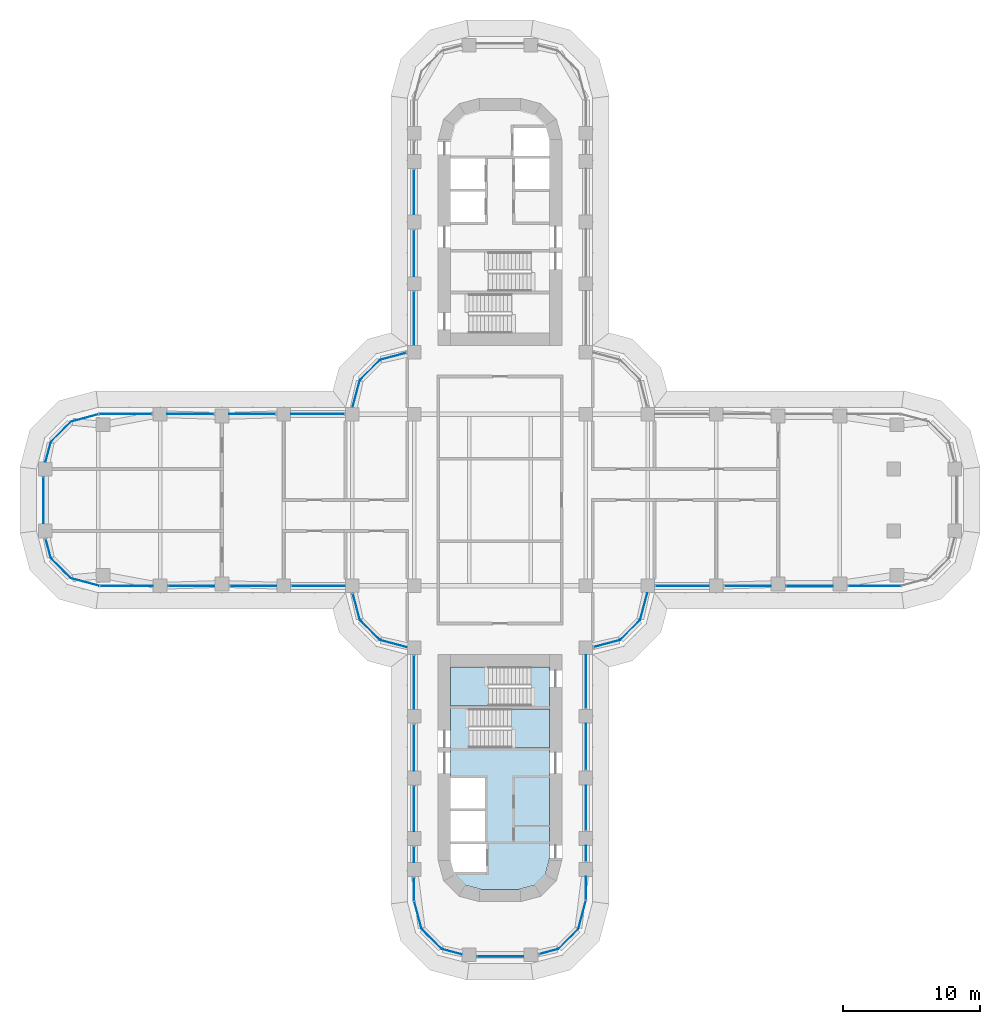
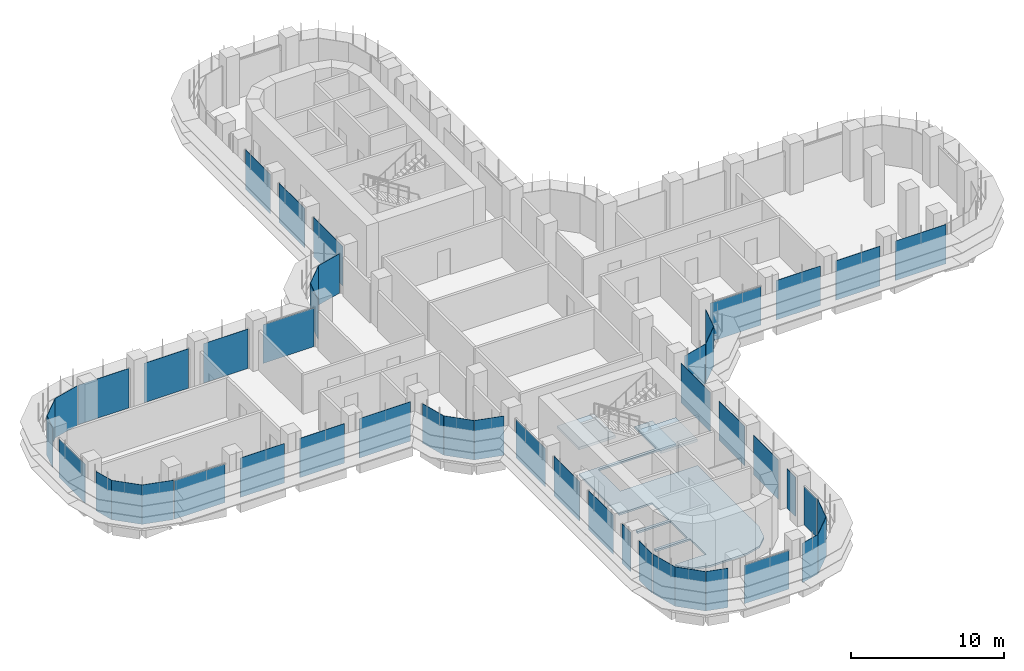
# One storey, part 13 of 23: 48 plates, 3 slabs, 31 elements without a shape of their own.
"""IFC4 building model written with IfcOpenShell, lengths in metres."""

from ifc_helpers import new_model, si_unit, direction, frame, origin, place, context, subcontext, project, spatial, polyline, outline, extrude, source, transform, mapped, material, layer, layer_set, type_object, element, aggregate, save


model = new_model("IFC4")

# Units and contexts
model_context = context("Model", 3, precision=1e-05, world=origin(), true_north=direction((0.0, 1.0)))
body_context = subcontext(model_context, "Body", "Model", "MODEL_VIEW")
ifc_project = project(units=[si_unit("LENGTHUNIT", "METRE"), si_unit("AREAUNIT", "SQUARE_METRE"), si_unit("VOLUMEUNIT", "CUBIC_METRE"), si_unit("PLANEANGLEUNIT", "RADIAN"), si_unit("MASSUNIT", "GRAM", prefix="KILO")], contexts=[model_context])

# Site, building, storey
site_placement = place(None, origin())
site = spatial("IfcSite", under=ifc_project, at=site_placement, CompositionType="ELEMENT")
building_placement = place(site_placement, origin())
building = spatial("IfcBuilding", under=site, at=building_placement, Name="Zarbagh Exchange Tower", CompositionType="ELEMENT")
storey_placement = place(building_placement, frame((0.0, 0.0, 31.199951171875)))
storey = spatial("IfcBuildingStorey", under=building, at=storey_placement, Name="L06", CompositionType="ELEMENT", Elevation=31.199951171875)

# Slab
ifc_material_1 = material(Name="Concrete C40/50", Category="concrete")
ifc_layer_1 = layer(ifc_material_1, 0.14990234375)
ifc_layer_set_1 = layer_set([ifc_layer_1], Name="Core floor slab 150 C40/50")
slab_type_1 = type_object("IfcSlabType", Name="Core floor slab 150 C40/50", PredefinedType="FLOOR", material=ifc_layer_set_1)
slab_1_placement = place(storey_placement, frame((0.0, 0.0, -0.14990234375)))
element("IfcSlab", 1, at=slab_1_placement, inside=storey, type_object=slab_type_1, Name="S17 core S", PredefinedType="FLOOR", context=body_context, shape_type="SweptSolid", body=[
    extrude(outline(polyline([(-2.5341796875, -28.041259765625), (-3.291259765625, -27.2841796875), (-3.340576171875, -27.10009765625), (-1.0, -27.10009765625), (-1.0, -25.050048828125), (-3.60009765625, -25.050048828125), (-3.60009765625, -24.85009765625), (-1.10009765625, -24.85009765625), (-1.10009765625, -22.64990234375), (-3.60009765625, -22.64990234375), (-3.60009765625, -22.449951171875), (-1.10009765625, -22.449951171875), (-1.10009765625, -20.25), (-3.60009765625, -20.25), (-3.60009765625, -15.0), (2.25, -15.0), (2.25, -12.14990234375), (3.60009765625, -12.14990234375), (3.60009765625, -15.199951171875), (-2.25, -15.199951171875), (-2.25, -18.050048828125), (3.60009765625, -18.050048828125), (3.60009765625, -26.131591796875), (3.291259765625, -27.2841796875), (2.5341796875, -28.041259765625), (1.381591796875, -28.35009765625), (-1.381591796875, -28.35009765625), (-2.5341796875, -28.041259765625)])), origin(), (0.0, 0.0, 1.0), 0.14990234375),
])

# Stair, slab
stair_type = type_object("IfcStairType", Name="Exit stair two-flight half-turn", PredefinedType="HALF_TURN_STAIR", material=ifc_material_1)
stair_1_placement = place(storey_placement, origin())
stair_1 = element("IfcStair", 2, at=stair_1_placement, inside=storey, type_object=stair_type, Name="exit stair ST3", PredefinedType="HALF_TURN_STAIR")
ifc_layer_2 = layer(ifc_material_1, 0.199951171875)
ifc_layer_set_2 = layer_set([ifc_layer_2], Name="Stair landing 200 mm")
slab_type_2 = type_object("IfcSlabType", Name="Stair landing 200 mm", PredefinedType="LANDING", material=ifc_layer_set_2)
slab_2_placement = place(storey_placement, frame((0.0, 0.0, 1.900146484375)))
slab_2 = element("IfcSlab", 3, at=slab_2_placement, type_object=slab_type_2, Name="ST3 landing 1", PredefinedType="LANDING", context=body_context, shape_type="SweptSolid", body=[
    extrude(outline(polyline([(0.830078125, -18.050048828125), (3.60009765625, -18.050048828125), (3.60009765625, -15.199951171875), (0.830078125, -15.199951171875), (0.830078125, -18.050048828125)])), origin(), (0.0, 0.0, 1.0), 0.199951171875),
])
aggregate(stair_1, [slab_2])

stair_2_placement = place(storey_placement, origin())
stair_2 = element("IfcStair", 4, at=stair_2_placement, inside=storey, type_object=stair_type, Name="exit stair ST4", PredefinedType="HALF_TURN_STAIR")
slab_3_placement = place(storey_placement, frame((0.0, 0.0, 1.900146484375)))
slab_3 = element("IfcSlab", 5, at=slab_3_placement, type_object=slab_type_2, Name="ST4 landing 1", PredefinedType="LANDING", context=body_context, shape_type="SweptSolid", body=[
    extrude(outline(polyline([(-0.830078125, -12.14990234375), (-3.60009765625, -12.14990234375), (-3.60009765625, -15.0), (-0.830078125, -15.0), (-0.830078125, -12.14990234375)])), origin(), (0.0, 0.0, 1.0), 0.199951171875),
])
aggregate(stair_2, [slab_3])

# Curtain wall, plate
ifc_material_2 = material(Name="Anodised aluminium frame and glazing", Category="aluminium")
curtain_wall_type = type_object("IfcCurtainWallType", Name="CWA Ribbon glazing, lower zones", PredefinedType="NOTDEFINED", material=ifc_material_2)
curtain_wall_1_placement = place(storey_placement, origin())
curtain_wall_1 = element("IfcCurtainWall", 6, at=curtain_wall_1_placement, inside=storey, type_object=curtain_wall_type, Name="CWA01 curtain wall", PredefinedType="NOTDEFINED")
ifc_material_3 = material(Name="Low-e double glazed unit, 6+12+6 mm")
ifc_layer_3 = layer(ifc_material_3, 0.028076171875)
ifc_layer_set_3 = layer_set([ifc_layer_3], Name="PAA Glazing panel, Low-e double glazed unit, 6+12+6 mm")
plate_type = type_object("IfcPlateType", Name="PAA Glazing panel, Low-e double glazed unit, 6+12+6 mm", PredefinedType="CURTAIN_PANEL", material=ifc_layer_set_3)
shared_shape_1 = source(origin(), body_context, "Body", "SweptSolid", [
    extrude(outline(polyline([(0.0, -0.013916015625), (1.4423828125, -0.013916015625), (1.4423828125, 0.013916015625), (0.0, 0.013916015625), (0.0, -0.013916015625)])), origin(), (0.0, 0.0, 1.0), 3.14990234375),
])
placement = place(storey_placement, origin())
plate_1 = element("IfcPlate", 7, at=placement, type_object=plate_type, Name="CWA01 glazing panel 1.1", PredefinedType="CURTAIN_PANEL", context=body_context, shape_type="MappedRepresentation", body=[
    mapped(shared_shape_1, transform((2.847900390625, -33.072021484375, 0.0), x_axis=(0.965924289636, 0.258824779902, 0.0), y_axis=(-0.258824779902, 0.965924289636, 0.0), z_axis=(0.0, 0.0, 1.0))),
])
aggregate(curtain_wall_1, [plate_1])

curtain_wall_2_placement = place(storey_placement, origin())
curtain_wall_2 = element("IfcCurtainWall", 8, at=curtain_wall_2_placement, inside=storey, type_object=curtain_wall_type, Name="CWA37 curtain wall", PredefinedType="NOTDEFINED")
plate_2 = element("IfcPlate", 9, at=placement, type_object=plate_type, Name="CWA37 glazing panel 1.1", PredefinedType="CURTAIN_PANEL", context=body_context, shape_type="MappedRepresentation", body=[
    mapped(shared_shape_1, transform((-33.072021484375, -2.847900390625, 0.0), x_axis=(0.258824779902, -0.965924289636, 0.0), y_axis=(0.965924289636, 0.258824779902, 0.0), z_axis=(0.0, 0.0, 1.0))),
])
aggregate(curtain_wall_2, [plate_2])

curtain_wall_3_placement = place(storey_placement, origin())
curtain_wall_3 = element("IfcCurtainWall", 10, at=curtain_wall_3_placement, inside=storey, type_object=curtain_wall_type, Name="CWA02 curtain wall", PredefinedType="NOTDEFINED")
shared_shape_2 = source(origin(), body_context, "Body", "SweptSolid", [
    extrude(outline(polyline([(0.0, -0.013916015625), (2.061279296875, -0.013916015625), (2.061279296875, 0.013916015625), (0.0, 0.013916015625), (0.0, -0.013916015625)])), origin(), (0.0, 0.0, 1.0), 3.14990234375),
])
plate_3 = element("IfcPlate", 11, at=placement, type_object=plate_type, Name="CWA02 glazing panel 1.1", PredefinedType="CURTAIN_PANEL", context=body_context, shape_type="MappedRepresentation", body=[
    mapped(shared_shape_2, transform((4.2412109375, -32.69873046875, 0.0), x_axis=(0.707106781187, 0.707106781187, 0.0), y_axis=(-0.707106781187, 0.707106781187, 0.0), z_axis=(0.0, 0.0, 1.0))),
])
aggregate(curtain_wall_3, [plate_3])

curtain_wall_4_placement = place(storey_placement, origin())
curtain_wall_4 = element("IfcCurtainWall", 12, at=curtain_wall_4_placement, inside=storey, type_object=curtain_wall_type, Name="CWA06 curtain wall", PredefinedType="NOTDEFINED")
plate_4 = element("IfcPlate", 13, at=placement, type_object=plate_type, Name="CWA06 glazing panel 1.1", PredefinedType="CURTAIN_PANEL", context=body_context, shape_type="MappedRepresentation", body=[
    mapped(shared_shape_2, transform((8.7412109375, -10.19873046875, 0.0), x_axis=(0.707106781187, 0.707106781187, 0.0), y_axis=(-0.707106781187, 0.707106781187, 0.0), z_axis=(0.0, 0.0, 1.0))),
])
aggregate(curtain_wall_4, [plate_4])

curtain_wall_5_placement = place(storey_placement, origin())
curtain_wall_5 = element("IfcCurtainWall", 14, at=curtain_wall_5_placement, inside=storey, type_object=curtain_wall_type, Name="CWA30 curtain wall", PredefinedType="NOTDEFINED")
plate_5 = element("IfcPlate", 15, at=placement, type_object=plate_type, Name="CWA30 glazing panel 1.1", PredefinedType="CURTAIN_PANEL", context=body_context, shape_type="MappedRepresentation", body=[
    mapped(shared_shape_2, transform((-8.7412109375, 10.19873046875, 0.0), x_axis=(-0.707106781187, -0.707106781187, 0.0), y_axis=(0.707106781187, -0.707106781187, 0.0), z_axis=(0.0, 0.0, 1.0))),
])
aggregate(curtain_wall_5, [plate_5])

curtain_wall_6_placement = place(storey_placement, origin())
curtain_wall_6 = element("IfcCurtainWall", 16, at=curtain_wall_6_placement, inside=storey, type_object=curtain_wall_type, Name="CWA34 curtain wall", PredefinedType="NOTDEFINED")
plate_6 = element("IfcPlate", 17, at=placement, type_object=plate_type, Name="CWA34 glazing panel 1.1", PredefinedType="CURTAIN_PANEL", context=body_context, shape_type="MappedRepresentation", body=[
    mapped(shared_shape_2, transform((-31.2412109375, 5.69873046875, 0.0), x_axis=(-0.707106781187, -0.707106781187, 0.0), y_axis=(0.707106781187, -0.707106781187, 0.0), z_axis=(0.0, 0.0, 1.0))),
])
aggregate(curtain_wall_6, [plate_6])

curtain_wall_7_placement = place(storey_placement, origin())
curtain_wall_7 = element("IfcCurtainWall", 18, at=curtain_wall_7_placement, inside=storey, type_object=curtain_wall_type, Name="CWA38 curtain wall", PredefinedType="NOTDEFINED")
plate_7 = element("IfcPlate", 19, at=placement, type_object=plate_type, Name="CWA38 glazing panel 1.1", PredefinedType="CURTAIN_PANEL", context=body_context, shape_type="MappedRepresentation", body=[
    mapped(shared_shape_2, transform((-32.69873046875, -4.2412109375, 0.0), x_axis=(0.707106781187, -0.707106781187, 0.0), y_axis=(0.707106781187, 0.707106781187, 0.0), z_axis=(0.0, 0.0, 1.0))),
])
aggregate(curtain_wall_7, [plate_7])

curtain_wall_8_placement = place(storey_placement, origin())
curtain_wall_8 = element("IfcCurtainWall", 20, at=curtain_wall_8_placement, inside=storey, type_object=curtain_wall_type, Name="CWA42 curtain wall", PredefinedType="NOTDEFINED")
plate_8 = element("IfcPlate", 21, at=placement, type_object=plate_type, Name="CWA42 glazing panel 1.1", PredefinedType="CURTAIN_PANEL", context=body_context, shape_type="MappedRepresentation", body=[
    mapped(shared_shape_2, transform((-10.19873046875, -8.7412109375, 0.0), x_axis=(0.707106781187, -0.707106781187, 0.0), y_axis=(0.707106781187, 0.707106781187, 0.0), z_axis=(0.0, 0.0, 1.0))),
])
aggregate(curtain_wall_8, [plate_8])

curtain_wall_9_placement = place(storey_placement, origin())
curtain_wall_9 = element("IfcCurtainWall", 22, at=curtain_wall_9_placement, inside=storey, type_object=curtain_wall_type, Name="CWA46 curtain wall", PredefinedType="NOTDEFINED")
plate_9 = element("IfcPlate", 23, at=placement, type_object=plate_type, Name="CWA46 glazing panel 1.1", PredefinedType="CURTAIN_PANEL", context=body_context, shape_type="MappedRepresentation", body=[
    mapped(shared_shape_2, transform((-5.69873046875, -31.2412109375, 0.0), x_axis=(0.707106781187, -0.707106781187, 0.0), y_axis=(0.707106781187, 0.707106781187, 0.0), z_axis=(0.0, 0.0, 1.0))),
])
aggregate(curtain_wall_9, [plate_9])

curtain_wall_10_placement = place(storey_placement, origin())
curtain_wall_10 = element("IfcCurtainWall", 24, at=curtain_wall_10_placement, inside=storey, type_object=curtain_wall_type, Name="CWA03 curtain wall", PredefinedType="NOTDEFINED")
shared_shape_3 = source(origin(), body_context, "Body", "SweptSolid", [
    extrude(outline(polyline([(0.0, -0.013916015625), (2.129638671875, -0.013916015625), (2.129638671875, 0.013916015625), (0.0, 0.013916015625), (0.0, -0.013916015625)])), origin(), (0.0, 0.0, 1.0), 3.14990234375),
])
plate_10 = element("IfcPlate", 25, at=placement, type_object=plate_type, Name="CWA03 glazing panel 1.1", PredefinedType="CURTAIN_PANEL", context=body_context, shape_type="MappedRepresentation", body=[
    mapped(shared_shape_3, transform((5.69873046875, -31.2412109375, 0.0), x_axis=(0.258824779902, 0.965924289636, 0.0), y_axis=(-0.965924289636, 0.258824779902, 0.0), z_axis=(0.0, 0.0, 1.0))),
])
aggregate(curtain_wall_10, [plate_10])

curtain_wall_11_placement = place(storey_placement, origin())
curtain_wall_11 = element("IfcCurtainWall", 26, at=curtain_wall_11_placement, inside=storey, type_object=curtain_wall_type, Name="CWA39 curtain wall", PredefinedType="NOTDEFINED")
plate_11 = element("IfcPlate", 27, at=placement, type_object=plate_type, Name="CWA39 glazing panel 1.1", PredefinedType="CURTAIN_PANEL", context=body_context, shape_type="MappedRepresentation", body=[
    mapped(shared_shape_3, transform((-31.2412109375, -5.69873046875, 0.0), x_axis=(0.965924289636, -0.258824779902, 0.0), y_axis=(0.258824779902, 0.965924289636, 0.0), z_axis=(0.0, 0.0, 1.0))),
])
aggregate(curtain_wall_11, [plate_11])

# Curtain wall, plates
curtain_wall_12_placement = place(storey_placement, origin())
curtain_wall_12 = element("IfcCurtainWall", 28, at=curtain_wall_12_placement, inside=storey, type_object=curtain_wall_type, Name="CWA04 curtain wall", PredefinedType="NOTDEFINED")
shared_shape_4 = source(origin(), body_context, "Body", "SweptSolid", [
    extrude(outline(polyline([(0.0, -0.013916015625), (1.68408203125, -0.013916015625), (1.68408203125, 0.013916015625), (0.0, 0.013916015625), (0.0, -0.013916015625)])), origin(), (0.0, 0.0, 1.0), 3.090087890625),
])
plate_12 = element("IfcPlate", 29, at=placement, type_object=plate_type, Name="CWA04 glazing panel 1.1", PredefinedType="CURTAIN_PANEL", context=body_context, shape_type="MappedRepresentation", body=[
    mapped(shared_shape_4, transform((6.25, -29.124267578125, 0.0), x_axis=(0.0, 1.0, 0.0), y_axis=(-1.0, 0.0, 0.0), z_axis=(0.0, 0.0, 1.0))),
])
shared_shape_5 = source(origin(), body_context, "Body", "SweptSolid", [
    extrude(outline(polyline([(0.0, -0.013916015625), (1.110107421875, -0.013916015625), (1.110107421875, 0.013916015625), (0.0, 0.013916015625), (0.0, -0.013916015625)])), origin(), (0.0, 0.0, 1.0), 3.14990234375),
])
plate_13 = element("IfcPlate", 30, at=placement, type_object=plate_type, Name="CWA04 glazing panel 2.1", PredefinedType="CURTAIN_PANEL", context=body_context, shape_type="MappedRepresentation", body=[
    mapped(shared_shape_5, transform((6.25, -26.300048828125, 0.0), x_axis=(0.0, 1.0, 0.0), y_axis=(-1.0, 0.0, 0.0), z_axis=(0.0, 0.0, 1.0))),
])

# Curtain wall, plate
curtain_wall_13_placement = place(storey_placement, origin())
curtain_wall_13 = element("IfcCurtainWall", 31, at=curtain_wall_13_placement, inside=storey, type_object=curtain_wall_type, Name="CWA44 curtain wall", PredefinedType="NOTDEFINED")
plate_14 = element("IfcPlate", 32, at=placement, type_object=plate_type, Name="CWA44 glazing panel 4.1", PredefinedType="CURTAIN_PANEL", context=body_context, shape_type="MappedRepresentation", body=[
    mapped(shared_shape_5, transform((-6.25, -25.25, 0.0), x_axis=(0.0, -1.0, 0.0), y_axis=(1.0, 0.0, 0.0), z_axis=(0.0, 0.0, 1.0))),
])

# Plate
shared_shape_6 = source(origin(), body_context, "Body", "SweptSolid", [
    extrude(outline(polyline([(0.0, -0.013916015625), (3.260009765625, -0.013916015625), (3.260009765625, 0.013916015625), (0.0, 0.013916015625), (0.0, -0.013916015625)])), origin(), (0.0, 0.0, 1.0), 3.14990234375),
])
plate_15 = element("IfcPlate", 33, at=placement, type_object=plate_type, Name="CWA04 glazing panel 3.1", PredefinedType="CURTAIN_PANEL", context=body_context, shape_type="MappedRepresentation", body=[
    mapped(shared_shape_6, transform((6.25, -24.050048828125, 0.0), x_axis=(0.0, 1.0, 0.0), y_axis=(-1.0, 0.0, 0.0), z_axis=(0.0, 0.0, 1.0))),
])

# Curtain wall, plate
curtain_wall_14_placement = place(storey_placement, origin())
curtain_wall_14 = element("IfcCurtainWall", 34, at=curtain_wall_14_placement, inside=storey, type_object=curtain_wall_type, Name="CWA28 curtain wall", PredefinedType="NOTDEFINED")
plate_16 = element("IfcPlate", 35, at=placement, type_object=plate_type, Name="CWA28 glazing panel 3.1", PredefinedType="CURTAIN_PANEL", context=body_context, shape_type="MappedRepresentation", body=[
    mapped(shared_shape_6, transform((-6.25, 24.050048828125, 0.0), x_axis=(0.0, -1.0, 0.0), y_axis=(1.0, 0.0, 0.0), z_axis=(0.0, 0.0, 1.0))),
])

# Plate
plate_17 = element("IfcPlate", 36, at=placement, type_object=plate_type, Name="CWA44 glazing panel 3.1", PredefinedType="CURTAIN_PANEL", context=body_context, shape_type="MappedRepresentation", body=[
    mapped(shared_shape_6, transform((-6.25, -20.85009765625, 0.0), x_axis=(0.0, -1.0, 0.0), y_axis=(1.0, 0.0, 0.0), z_axis=(0.0, 0.0, 1.0))),
])

shared_shape_7 = source(origin(), body_context, "Body", "SweptSolid", [
    extrude(outline(polyline([(0.0, -0.013916015625), (3.360107421875, -0.013916015625), (3.360107421875, 0.013916015625), (0.0, 0.013916015625), (0.0, -0.013916015625)])), origin(), (0.0, 0.0, 1.0), 3.14990234375),
])
plate_18 = element("IfcPlate", 37, at=placement, type_object=plate_type, Name="CWA04 glazing panel 4.1", PredefinedType="CURTAIN_PANEL", context=body_context, shape_type="MappedRepresentation", body=[
    mapped(shared_shape_7, transform((6.25, -19.64990234375, 0.0), x_axis=(0.0, 1.0, 0.0), y_axis=(-1.0, 0.0, 0.0), z_axis=(0.0, 0.0, 1.0))),
])

# Curtain wall, plates
curtain_wall_15_placement = place(storey_placement, origin())
curtain_wall_15 = element("IfcCurtainWall", 38, at=curtain_wall_15_placement, inside=storey, type_object=curtain_wall_type, Name="CWA08 curtain wall", PredefinedType="NOTDEFINED")
plate_19 = element("IfcPlate", 39, at=placement, type_object=plate_type, Name="CWA08 glazing panel 2.1", PredefinedType="CURTAIN_PANEL", context=body_context, shape_type="MappedRepresentation", body=[
    mapped(shared_shape_7, transform((16.35009765625, -6.25, 0.0), x_axis=(1.0, 0.0, 0.0), y_axis=(0.0, 1.0, 0.0), z_axis=(0.0, 0.0, 1.0))),
])
plate_20 = element("IfcPlate", 40, at=placement, type_object=plate_type, Name="CWA08 glazing panel 3.1", PredefinedType="CURTAIN_PANEL", context=body_context, shape_type="MappedRepresentation", body=[
    mapped(shared_shape_7, transform((20.85009765625, -6.25, 0.0), x_axis=(1.0, 0.0, 0.0), y_axis=(0.0, 1.0, 0.0), z_axis=(0.0, 0.0, 1.0))),
])

# Plate
plate_21 = element("IfcPlate", 41, at=placement, type_object=plate_type, Name="CWA28 glazing panel 4.1", PredefinedType="CURTAIN_PANEL", context=body_context, shape_type="MappedRepresentation", body=[
    mapped(shared_shape_7, transform((-6.25, 19.64990234375, 0.0), x_axis=(0.0, -1.0, 0.0), y_axis=(1.0, 0.0, 0.0), z_axis=(0.0, 0.0, 1.0))),
])

# Curtain wall, plates
curtain_wall_16_placement = place(storey_placement, origin())
curtain_wall_16 = element("IfcCurtainWall", 42, at=curtain_wall_16_placement, inside=storey, type_object=curtain_wall_type, Name="CWA32 curtain wall", PredefinedType="NOTDEFINED")
plate_22 = element("IfcPlate", 43, at=placement, type_object=plate_type, Name="CWA32 glazing panel 2.1", PredefinedType="CURTAIN_PANEL", context=body_context, shape_type="MappedRepresentation", body=[
    mapped(shared_shape_7, transform((-16.35009765625, 6.25, 0.0), x_axis=(-1.0, 0.0, 0.0), y_axis=(0.0, -1.0, 0.0), z_axis=(0.0, 0.0, 1.0))),
])
plate_23 = element("IfcPlate", 44, at=placement, type_object=plate_type, Name="CWA32 glazing panel 3.1", PredefinedType="CURTAIN_PANEL", context=body_context, shape_type="MappedRepresentation", body=[
    mapped(shared_shape_7, transform((-20.85009765625, 6.25, 0.0), x_axis=(-1.0, 0.0, 0.0), y_axis=(0.0, -1.0, 0.0), z_axis=(0.0, 0.0, 1.0))),
])

curtain_wall_17_placement = place(storey_placement, origin())
curtain_wall_17 = element("IfcCurtainWall", 45, at=curtain_wall_17_placement, inside=storey, type_object=curtain_wall_type, Name="CWA40 curtain wall", PredefinedType="NOTDEFINED")
plate_24 = element("IfcPlate", 46, at=placement, type_object=plate_type, Name="CWA40 glazing panel 2.1", PredefinedType="CURTAIN_PANEL", context=body_context, shape_type="MappedRepresentation", body=[
    mapped(shared_shape_7, transform((-24.14990234375, -6.25, 0.0), x_axis=(1.0, 0.0, 0.0), y_axis=(0.0, 1.0, 0.0), z_axis=(0.0, 0.0, 1.0))),
])
plate_25 = element("IfcPlate", 47, at=placement, type_object=plate_type, Name="CWA40 glazing panel 3.1", PredefinedType="CURTAIN_PANEL", context=body_context, shape_type="MappedRepresentation", body=[
    mapped(shared_shape_7, transform((-19.64990234375, -6.25, 0.0), x_axis=(1.0, 0.0, 0.0), y_axis=(0.0, 1.0, 0.0), z_axis=(0.0, 0.0, 1.0))),
])

# Plate
plate_26 = element("IfcPlate", 48, at=placement, type_object=plate_type, Name="CWA44 glazing panel 2.1", PredefinedType="CURTAIN_PANEL", context=body_context, shape_type="MappedRepresentation", body=[
    mapped(shared_shape_7, transform((-6.25, -16.35009765625, 0.0), x_axis=(0.0, -1.0, 0.0), y_axis=(1.0, 0.0, 0.0), z_axis=(0.0, 0.0, 1.0))),
])

# Curtain wall, plate
curtain_wall_18_placement = place(storey_placement, origin())
curtain_wall_18 = element("IfcCurtainWall", 49, at=curtain_wall_18_placement, inside=storey, type_object=curtain_wall_type, Name="CWA05 curtain wall", PredefinedType="NOTDEFINED")
shared_shape_8 = source(origin(), body_context, "Body", "SweptSolid", [
    extrude(outline(polyline([(0.0, -0.013916015625), (1.9599609375, -0.013916015625), (1.9599609375, 0.013916015625), (0.0, 0.013916015625), (0.0, -0.013916015625)])), origin(), (0.0, 0.0, 1.0), 3.14990234375),
])
plate_27 = element("IfcPlate", 50, at=placement, type_object=plate_type, Name="CWA05 glazing panel 1.1", PredefinedType="CURTAIN_PANEL", context=body_context, shape_type="MappedRepresentation", body=[
    mapped(shared_shape_8, transform((6.847900390625, -10.7060546875, 0.0), x_axis=(0.965924289636, 0.258824779902, 0.0), y_axis=(-0.258824779902, 0.965924289636, 0.0), z_axis=(0.0, 0.0, 1.0))),
])
aggregate(curtain_wall_18, [plate_27])

curtain_wall_19_placement = place(storey_placement, origin())
curtain_wall_19 = element("IfcCurtainWall", 51, at=curtain_wall_19_placement, inside=storey, type_object=curtain_wall_type, Name="CWA29 curtain wall", PredefinedType="NOTDEFINED")
plate_28 = element("IfcPlate", 52, at=placement, type_object=plate_type, Name="CWA29 glazing panel 1.1", PredefinedType="CURTAIN_PANEL", context=body_context, shape_type="MappedRepresentation", body=[
    mapped(shared_shape_8, transform((-6.847900390625, 10.7060546875, 0.0), x_axis=(-0.965924289636, -0.258824779902, 0.0), y_axis=(0.258824779902, -0.965924289636, 0.0), z_axis=(0.0, 0.0, 1.0))),
])
aggregate(curtain_wall_19, [plate_28])

curtain_wall_20_placement = place(storey_placement, origin())
curtain_wall_20 = element("IfcCurtainWall", 53, at=curtain_wall_20_placement, inside=storey, type_object=curtain_wall_type, Name="CWA41 curtain wall", PredefinedType="NOTDEFINED")
plate_29 = element("IfcPlate", 54, at=placement, type_object=plate_type, Name="CWA41 glazing panel 1.1", PredefinedType="CURTAIN_PANEL", context=body_context, shape_type="MappedRepresentation", body=[
    mapped(shared_shape_8, transform((-10.7060546875, -6.847900390625, 0.0), x_axis=(0.258824779902, -0.965924289636, 0.0), y_axis=(0.965924289636, 0.258824779902, 0.0), z_axis=(0.0, 0.0, 1.0))),
])
aggregate(curtain_wall_20, [plate_29])

curtain_wall_21_placement = place(storey_placement, origin())
curtain_wall_21 = element("IfcCurtainWall", 55, at=curtain_wall_21_placement, inside=storey, type_object=curtain_wall_type, Name="CWA07 curtain wall", PredefinedType="NOTDEFINED")
shared_shape_9 = source(origin(), body_context, "Body", "SweptSolid", [
    extrude(outline(polyline([(0.0, -0.013916015625), (2.02001953125, -0.013916015625), (2.02001953125, 0.013916015625), (0.0, 0.013916015625), (0.0, -0.013916015625)])), origin(), (0.0, 0.0, 1.0), 3.14990234375),
])
plate_30 = element("IfcPlate", 56, at=placement, type_object=plate_type, Name="CWA07 glazing panel 1.1", PredefinedType="CURTAIN_PANEL", context=body_context, shape_type="MappedRepresentation", body=[
    mapped(shared_shape_9, transform((10.19873046875, -8.7412109375, 0.0), x_axis=(0.258824779902, 0.965924289636, 0.0), y_axis=(-0.965924289636, 0.258824779902, 0.0), z_axis=(0.0, 0.0, 1.0))),
])
aggregate(curtain_wall_21, [plate_30])

curtain_wall_22_placement = place(storey_placement, origin())
curtain_wall_22 = element("IfcCurtainWall", 57, at=curtain_wall_22_placement, inside=storey, type_object=curtain_wall_type, Name="CWA31 curtain wall", PredefinedType="NOTDEFINED")
plate_31 = element("IfcPlate", 58, at=placement, type_object=plate_type, Name="CWA31 glazing panel 1.1", PredefinedType="CURTAIN_PANEL", context=body_context, shape_type="MappedRepresentation", body=[
    mapped(shared_shape_9, transform((-10.19873046875, 8.7412109375, 0.0), x_axis=(-0.258824779902, -0.965924289636, 0.0), y_axis=(0.965924289636, -0.258824779902, 0.0), z_axis=(0.0, 0.0, 1.0))),
])
aggregate(curtain_wall_22, [plate_31])

curtain_wall_23_placement = place(storey_placement, origin())
curtain_wall_23 = element("IfcCurtainWall", 59, at=curtain_wall_23_placement, inside=storey, type_object=curtain_wall_type, Name="CWA43 curtain wall", PredefinedType="NOTDEFINED")
plate_32 = element("IfcPlate", 60, at=placement, type_object=plate_type, Name="CWA43 glazing panel 1.1", PredefinedType="CURTAIN_PANEL", context=body_context, shape_type="MappedRepresentation", body=[
    mapped(shared_shape_9, transform((-8.7412109375, -10.19873046875, 0.0), x_axis=(0.965924289636, -0.258824779902, 0.0), y_axis=(0.258824779902, 0.965924289636, 0.0), z_axis=(0.0, 0.0, 1.0))),
])
aggregate(curtain_wall_23, [plate_32])

# Plate
shared_shape_10 = source(origin(), body_context, "Body", "SweptSolid", [
    extrude(outline(polyline([(0.0, -0.013916015625), (3.860107421875, -0.013916015625), (3.860107421875, 0.013916015625), (0.0, 0.013916015625), (0.0, -0.013916015625)])), origin(), (0.0, 0.0, 1.0), 3.090087890625),
])
plate_33 = element("IfcPlate", 61, at=placement, type_object=plate_type, Name="CWA08 glazing panel 1.1", PredefinedType="CURTAIN_PANEL", context=body_context, shape_type="MappedRepresentation", body=[
    mapped(shared_shape_10, transform((11.35009765625, -6.25, 0.0), x_axis=(1.0, 0.0, 0.0), y_axis=(0.0, 1.0, 0.0), z_axis=(0.0, 0.0, 1.0))),
])

plate_34 = element("IfcPlate", 62, at=placement, type_object=plate_type, Name="CWA32 glazing panel 1.1", PredefinedType="CURTAIN_PANEL", context=body_context, shape_type="MappedRepresentation", body=[
    mapped(shared_shape_10, transform((-11.35009765625, 6.25, 0.0), x_axis=(-1.0, 0.0, 0.0), y_axis=(0.0, -1.0, 0.0), z_axis=(0.0, 0.0, 1.0))),
])

plate_35 = element("IfcPlate", 63, at=placement, type_object=plate_type, Name="CWA44 glazing panel 1.1", PredefinedType="CURTAIN_PANEL", context=body_context, shape_type="MappedRepresentation", body=[
    mapped(shared_shape_10, transform((-6.25, -11.35009765625, 0.0), x_axis=(0.0, -1.0, 0.0), y_axis=(1.0, 0.0, 0.0), z_axis=(0.0, 0.0, 1.0))),
])

shared_shape_11 = source(origin(), body_context, "Body", "SweptSolid", [
    extrude(outline(polyline([(0.0, -0.013916015625), (3.833984375, -0.013916015625), (3.833984375, 0.013916015625), (0.0, 0.013916015625), (0.0, -0.013916015625)])), origin(), (0.0, 0.0, 1.0), 3.14990234375),
])
plate_36 = element("IfcPlate", 64, at=placement, type_object=plate_type, Name="CWA08 glazing panel 4.1", PredefinedType="CURTAIN_PANEL", context=body_context, shape_type="MappedRepresentation", body=[
    mapped(shared_shape_11, transform((25.35009765625, -6.25, 0.0), x_axis=(1.0, 0.0, 0.0), y_axis=(0.0, 1.0, 0.0), z_axis=(0.0, 0.0, 1.0))),
])

aggregate(curtain_wall_15, [plate_33, plate_19, plate_20, plate_36])

plate_37 = element("IfcPlate", 65, at=placement, type_object=plate_type, Name="CWA32 glazing panel 4.1", PredefinedType="CURTAIN_PANEL", context=body_context, shape_type="MappedRepresentation", body=[
    mapped(shared_shape_11, transform((-25.35009765625, 6.25, 0.0), x_axis=(-1.0, 0.0, 0.0), y_axis=(0.0, -1.0, 0.0), z_axis=(0.0, 0.0, 1.0))),
])

aggregate(curtain_wall_16, [plate_34, plate_22, plate_23, plate_37])

# Curtain wall, plate
curtain_wall_24_placement = place(storey_placement, origin())
curtain_wall_24 = element("IfcCurtainWall", 66, at=curtain_wall_24_placement, inside=storey, type_object=curtain_wall_type, Name="CWA33 curtain wall", PredefinedType="NOTDEFINED")
shared_shape_12 = source(origin(), body_context, "Body", "SweptSolid", [
    extrude(outline(polyline([(0.0, -0.013916015625), (2.069580078125, -0.013916015625), (2.069580078125, 0.013916015625), (0.0, 0.013916015625), (0.0, -0.013916015625)])), origin(), (0.0, 0.0, 1.0), 3.14990234375),
])
plate_38 = element("IfcPlate", 67, at=placement, type_object=plate_type, Name="CWA33 glazing panel 1.1", PredefinedType="CURTAIN_PANEL", context=body_context, shape_type="MappedRepresentation", body=[
    mapped(shared_shape_12, transform((-29.2421875, 6.234375, 0.0), x_axis=(-0.965924289636, -0.258824779902, 0.0), y_axis=(0.258824779902, -0.965924289636, 0.0), z_axis=(0.0, 0.0, 1.0))),
])
aggregate(curtain_wall_24, [plate_38])

curtain_wall_25_placement = place(storey_placement, origin())
curtain_wall_25 = element("IfcCurtainWall", 68, at=curtain_wall_25_placement, inside=storey, type_object=curtain_wall_type, Name="CWA45 curtain wall", PredefinedType="NOTDEFINED")
plate_39 = element("IfcPlate", 69, at=placement, type_object=plate_type, Name="CWA45 glazing panel 1.1", PredefinedType="CURTAIN_PANEL", context=body_context, shape_type="MappedRepresentation", body=[
    mapped(shared_shape_12, transform((-6.234375, -29.2421875, 0.0), x_axis=(0.258824779902, -0.965924289636, 0.0), y_axis=(0.965924289636, 0.258824779902, 0.0), z_axis=(0.0, 0.0, 1.0))),
])
aggregate(curtain_wall_25, [plate_39])

curtain_wall_26_placement = place(storey_placement, origin())
curtain_wall_26 = element("IfcCurtainWall", 70, at=curtain_wall_26_placement, inside=storey, type_object=curtain_wall_type, Name="CWA35 curtain wall", PredefinedType="NOTDEFINED")
shared_shape_13 = source(origin(), body_context, "Body", "SweptSolid", [
    extrude(outline(polyline([(0.0, -0.013916015625), (1.50244140625, -0.013916015625), (1.50244140625, 0.013916015625), (0.0, 0.013916015625), (0.0, -0.013916015625)])), origin(), (0.0, 0.0, 1.0), 3.14990234375),
])
plate_40 = element("IfcPlate", 71, at=placement, type_object=plate_type, Name="CWA35 glazing panel 1.1", PredefinedType="CURTAIN_PANEL", context=body_context, shape_type="MappedRepresentation", body=[
    mapped(shared_shape_13, transform((-32.69873046875, 4.2412109375, 0.0), x_axis=(-0.258824779902, -0.965924289636, 0.0), y_axis=(0.965924289636, -0.258824779902, 0.0), z_axis=(0.0, 0.0, 1.0))),
])
aggregate(curtain_wall_26, [plate_40])

curtain_wall_27_placement = place(storey_placement, origin())
curtain_wall_27 = element("IfcCurtainWall", 72, at=curtain_wall_27_placement, inside=storey, type_object=curtain_wall_type, Name="CWA47 curtain wall", PredefinedType="NOTDEFINED")
plate_41 = element("IfcPlate", 73, at=placement, type_object=plate_type, Name="CWA47 glazing panel 1.1", PredefinedType="CURTAIN_PANEL", context=body_context, shape_type="MappedRepresentation", body=[
    mapped(shared_shape_13, transform((-4.2412109375, -32.69873046875, 0.0), x_axis=(0.965924289636, -0.258824779902, 0.0), y_axis=(0.258824779902, 0.965924289636, 0.0), z_axis=(0.0, 0.0, 1.0))),
])
aggregate(curtain_wall_27, [plate_41])

curtain_wall_28_placement = place(storey_placement, origin())
curtain_wall_28 = element("IfcCurtainWall", 74, at=curtain_wall_28_placement, inside=storey, type_object=curtain_wall_type, Name="CWA36 curtain wall", PredefinedType="NOTDEFINED")
shared_shape_14 = source(origin(), body_context, "Body", "SweptSolid", [
    extrude(outline(polyline([(0.0, -0.013916015625), (3.360107421875, -0.013916015625), (3.360107421875, 0.013916015625), (0.0, 0.013916015625), (0.0, -0.013916015625)])), origin(), (0.0, 0.0, 1.0), 3.090087890625),
])
plate_42 = element("IfcPlate", 75, at=placement, type_object=plate_type, Name="CWA36 glazing panel 1.1", PredefinedType="CURTAIN_PANEL", context=body_context, shape_type="MappedRepresentation", body=[
    mapped(shared_shape_14, transform((-33.25, 1.64990234375, 0.0), x_axis=(0.0, -1.0, 0.0), y_axis=(1.0, 0.0, 0.0), z_axis=(0.0, 0.0, 1.0))),
])
aggregate(curtain_wall_28, [plate_42])

curtain_wall_29_placement = place(storey_placement, origin())
curtain_wall_29 = element("IfcCurtainWall", 76, at=curtain_wall_29_placement, inside=storey, type_object=curtain_wall_type, Name="CWA48 curtain wall", PredefinedType="NOTDEFINED")
plate_43 = element("IfcPlate", 77, at=placement, type_object=plate_type, Name="CWA48 glazing panel 1.1", PredefinedType="CURTAIN_PANEL", context=body_context, shape_type="MappedRepresentation", body=[
    mapped(shared_shape_14, transform((-1.64990234375, -33.25, 0.0), x_axis=(1.0, 0.0, 0.0), y_axis=(0.0, 1.0, 0.0), z_axis=(0.0, 0.0, 1.0))),
])
aggregate(curtain_wall_29, [plate_43])

# Plate
shared_shape_15 = source(origin(), body_context, "Body", "SweptSolid", [
    extrude(outline(polyline([(0.0, -0.013916015625), (3.834228515625, -0.013916015625), (3.834228515625, 0.013916015625), (0.0, 0.013916015625), (0.0, -0.013916015625)])), origin(), (0.0, 0.0, 1.0), 3.090087890625),
])
plate_44 = element("IfcPlate", 78, at=placement, type_object=plate_type, Name="CWA40 glazing panel 1.1", PredefinedType="CURTAIN_PANEL", context=body_context, shape_type="MappedRepresentation", body=[
    mapped(shared_shape_15, transform((-29.124267578125, -6.25, 0.0), x_axis=(1.0, 0.0, 0.0), y_axis=(0.0, 1.0, 0.0), z_axis=(0.0, 0.0, 1.0))),
])

shared_shape_16 = source(origin(), body_context, "Body", "SweptSolid", [
    extrude(outline(polyline([(0.0, -0.013916015625), (3.860107421875, -0.013916015625), (3.860107421875, 0.013916015625), (0.0, 0.013916015625), (0.0, -0.013916015625)])), origin(), (0.0, 0.0, 1.0), 3.14990234375),
])
plate_45 = element("IfcPlate", 79, at=placement, type_object=plate_type, Name="CWA04 glazing panel 5.1", PredefinedType="CURTAIN_PANEL", context=body_context, shape_type="MappedRepresentation", body=[
    mapped(shared_shape_16, transform((6.25, -15.14990234375, 0.0), x_axis=(0.0, 1.0, 0.0), y_axis=(-1.0, 0.0, 0.0), z_axis=(0.0, 0.0, 1.0))),
])

aggregate(curtain_wall_12, [plate_12, plate_13, plate_15, plate_18, plate_45])

plate_46 = element("IfcPlate", 80, at=placement, type_object=plate_type, Name="CWA28 glazing panel 5.1", PredefinedType="CURTAIN_PANEL", context=body_context, shape_type="MappedRepresentation", body=[
    mapped(shared_shape_16, transform((-6.25, 15.14990234375, 0.0), x_axis=(0.0, -1.0, 0.0), y_axis=(1.0, 0.0, 0.0), z_axis=(0.0, 0.0, 1.0))),
])

aggregate(curtain_wall_14, [plate_16, plate_21, plate_46])

plate_47 = element("IfcPlate", 81, at=placement, type_object=plate_type, Name="CWA40 glazing panel 4.1", PredefinedType="CURTAIN_PANEL", context=body_context, shape_type="MappedRepresentation", body=[
    mapped(shared_shape_16, transform((-15.14990234375, -6.25, 0.0), x_axis=(1.0, 0.0, 0.0), y_axis=(0.0, 1.0, 0.0), z_axis=(0.0, 0.0, 1.0))),
])

aggregate(curtain_wall_17, [plate_44, plate_24, plate_25, plate_47])

shared_shape_17 = source(origin(), body_context, "Body", "SweptSolid", [
    extrude(outline(polyline([(0.0, -0.013916015625), (1.68408203125, -0.013916015625), (1.68408203125, 0.013916015625), (0.0, 0.013916015625), (0.0, -0.013916015625)])), origin(), (0.0, 0.0, 1.0), 3.14990234375),
])
plate_48 = element("IfcPlate", 82, at=placement, type_object=plate_type, Name="CWA44 glazing panel 5.1", PredefinedType="CURTAIN_PANEL", context=body_context, shape_type="MappedRepresentation", body=[
    mapped(shared_shape_17, transform((-6.25, -27.5, 0.0), x_axis=(0.0, -1.0, 0.0), y_axis=(1.0, 0.0, 0.0), z_axis=(0.0, 0.0, 1.0))),
])

aggregate(curtain_wall_13, [plate_35, plate_26, plate_17, plate_14, plate_48])

save(model, "model.ifc")
